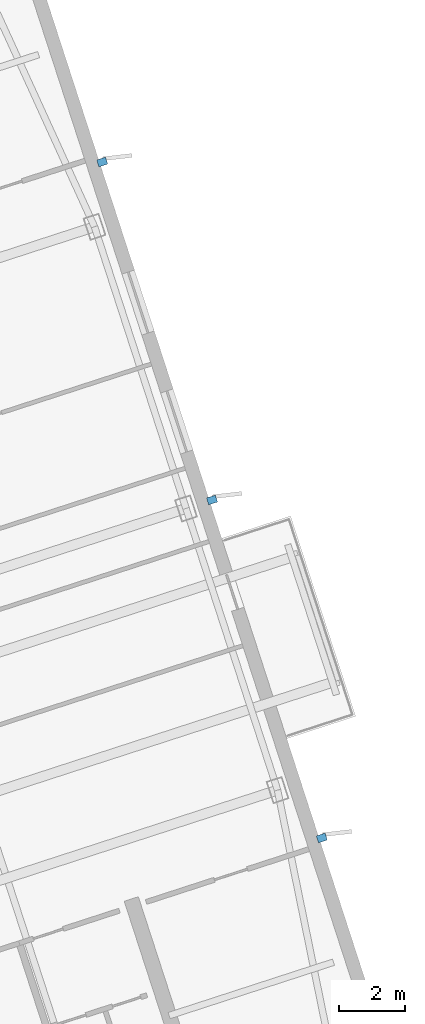
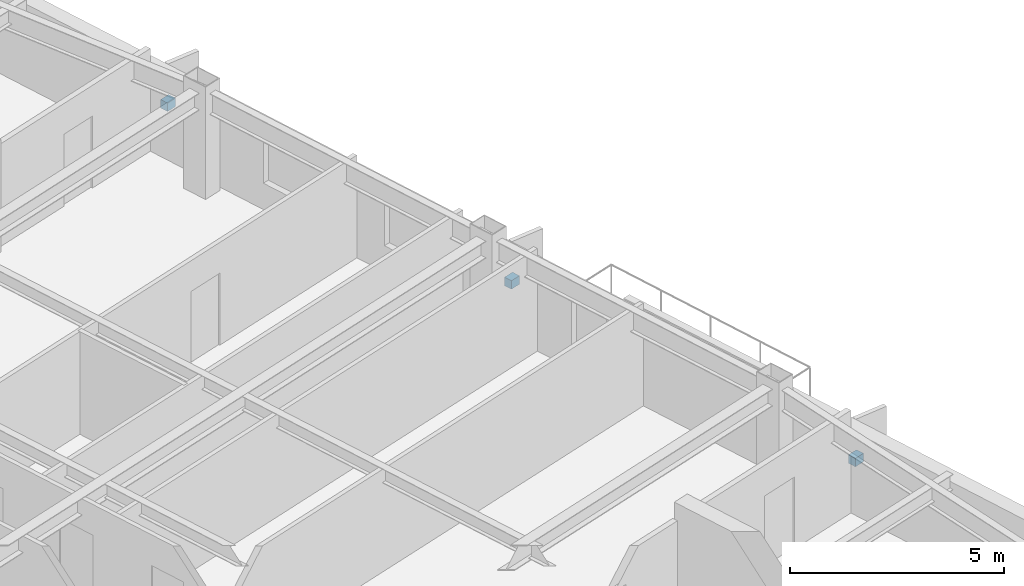
# One storey, part 13 of 18: 3 discrete accessories.
"""IFC4 building model written with IfcOpenShell, lengths in metres."""

from ifc_helpers import new_model, si_unit, direction, frame, origin, origin_2d, place, context, subcontext, project, spatial, rectangle, extrude, material, type_object, element, save


model = new_model("IFC4")

# Units and contexts
model_context = context("Model", 3, precision=1e-05, world=origin(), true_north=direction((0.0, 1.0)))
body_context = subcontext(model_context, "Body", "Model", "MODEL_VIEW")
ifc_project = project(units=[si_unit("LENGTHUNIT", "METRE"), si_unit("AREAUNIT", "SQUARE_METRE"), si_unit("VOLUMEUNIT", "CUBIC_METRE"), si_unit("PLANEANGLEUNIT", "RADIAN"), si_unit("MASSUNIT", "GRAM", prefix="KILO")], contexts=[model_context])

# Site, building, storey
site_placement = place(None, origin())
site = spatial("IfcSite", under=ifc_project, at=site_placement, CompositionType="ELEMENT")
building_placement = place(site_placement, origin())
building = spatial("IfcBuilding", under=site, at=building_placement, Name="Qiaolan Cultural Towers", CompositionType="ELEMENT")
storey_placement = place(building_placement, frame((0.0, 0.0, 237.60009765625)))
storey = spatial("IfcBuildingStorey", under=building, at=storey_placement, Name="L64", CompositionType="ELEMENT", Elevation=237.60009765625)

# Discrete accessories
ifc_material = material(Name="Stainless Steel S31608 Facade Anchor Bracket", Category="steel")
discrete_accessory_type = type_object("IfcDiscreteAccessoryType", Name="ACC-BRK-SS", PredefinedType="BRACKET", material=ifc_material)
for number, where, z_axis, x_axis, name in (
    (1, (106.91845703125, 28.141357421875, 1.06005859375), (0.0, 0.0, 1.0), (0.951056516295, 0.309016994375, 0.0), "L64 T2 Facade Fin Anchor Bracket E1"),
    (2, (103.5810546875, 38.412841796875, 1.06005859375), (0.0, 0.0, 1.0), (0.951056516295, 0.309016994375, 0.0), "L64 T2 Facade Fin Anchor Bracket E2"),
    (3, (100.24365234375, 48.68408203125, 1.06005859375), (0.0, 0.0, 1.0), (0.951056516295, 0.309016994375, 0.0), "L64 T2 Facade Fin Anchor Bracket E3"),
):
    element("IfcDiscreteAccessory", number, at=place(storey_placement, frame(where, z_axis=z_axis, x_axis=x_axis)), inside=storey, type_object=discrete_accessory_type, Name=name, PredefinedType="BRACKET", context=body_context, shape_type="SweptSolid", body=[
        extrude(rectangle(XDim=0.280029296875, YDim=0.219970703125, at=origin_2d()), origin(), (0.0, 0.0, 1.0), 0.239990234375),
    ])

save(model, "model.ifc")
